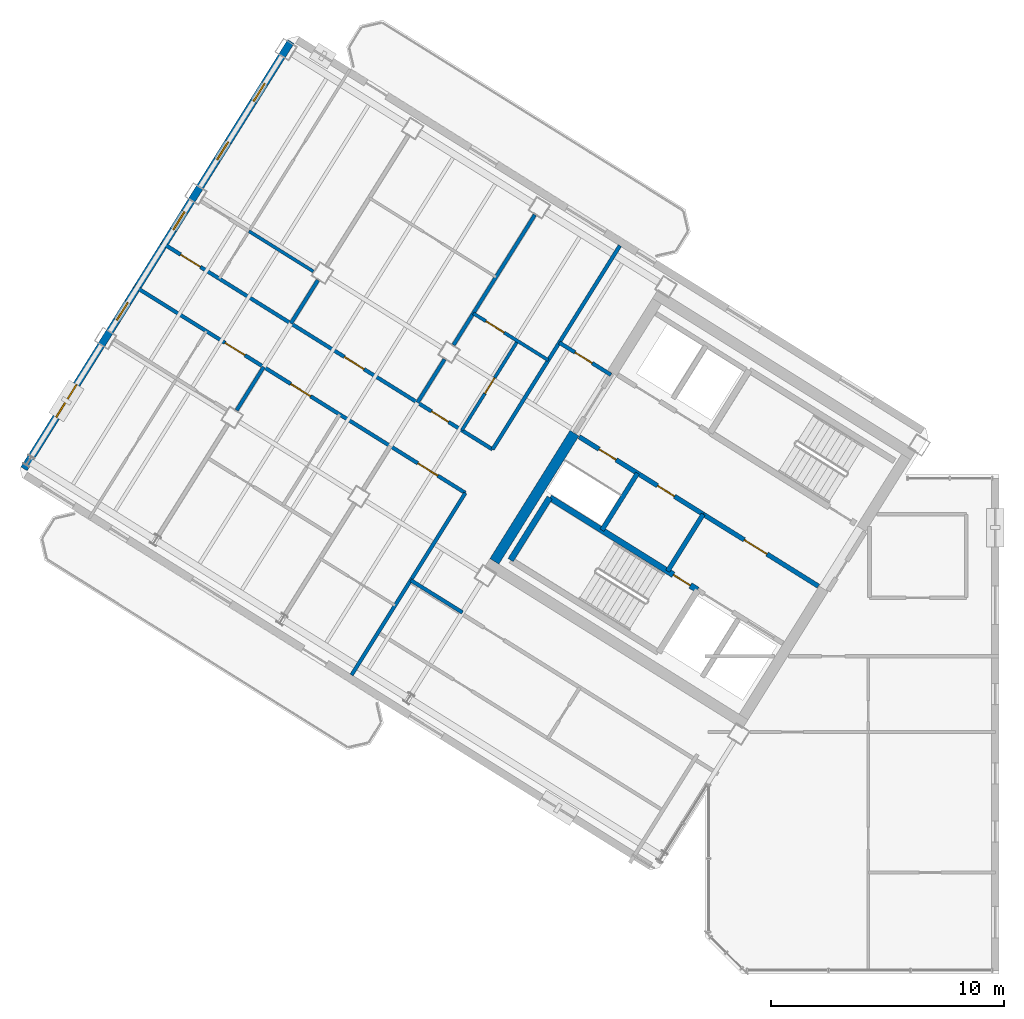
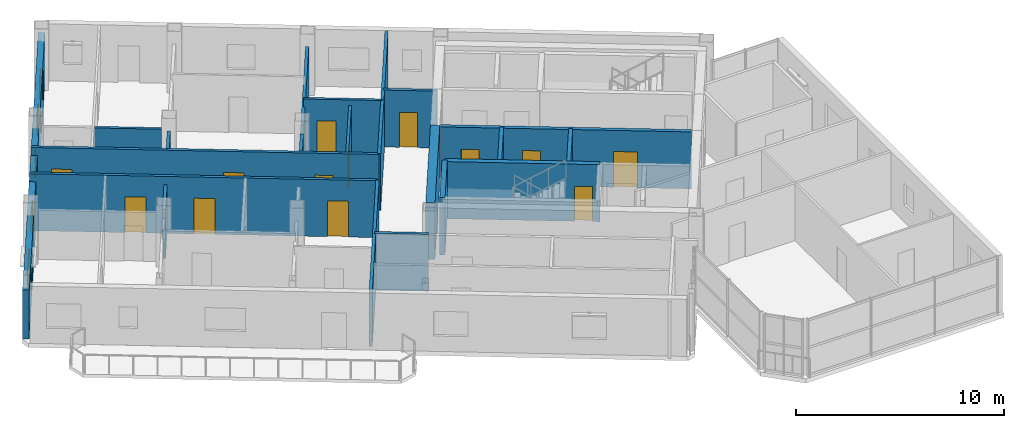
# One storey, part 9 of 15: 21 walls, 13 doors, 5 windows, 18 openings.
"""IFC4 building model written with IfcOpenShell, lengths in metres."""

from ifc_helpers import new_model, si_unit, direction, frame, frame_2d, origin, place, context, subcontext, project, spatial, rectangle, extrude, source, transform, mapped, material, layer, layer_set, type_object, element, fill, save


model = new_model("IFC4")

# Units and contexts
model_context = context("Model", 3, precision=1e-05, world=origin(), true_north=direction((0.0, 1.0)))
body_context = subcontext(model_context, "Body", "Model", "MODEL_VIEW")
ifc_project = project(units=[si_unit("LENGTHUNIT", "METRE"), si_unit("AREAUNIT", "SQUARE_METRE"), si_unit("VOLUMEUNIT", "CUBIC_METRE"), si_unit("PLANEANGLEUNIT", "RADIAN"), si_unit("MASSUNIT", "GRAM", prefix="KILO")], contexts=[model_context])

# Site, building, storey
site_placement = place(None, origin())
site = spatial("IfcSite", under=ifc_project, at=site_placement, CompositionType="ELEMENT")
building_placement = place(site_placement, origin())
building = spatial("IfcBuilding", under=site, at=building_placement, Name="Tlacorven Tower", CompositionType="ELEMENT")
storey_placement = place(building_placement, frame((0.0, 0.0, 266.39990234375)))
storey = spatial("IfcBuildingStorey", under=building, at=storey_placement, Name="L67", CompositionType="ELEMENT", Elevation=266.39990234375)

# Wall
ifc_material_1 = material(Name="Concrete C50/60", Category="concrete")
ifc_layer_1 = layer(ifc_material_1, 0.449951171875)
ifc_layer_set_1 = layer_set([ifc_layer_1], Name="Concrete C50/60")
wall_type_1 = type_object("IfcWallType", Name="WL-COR-450", PredefinedType="SHEAR", material=ifc_layer_set_1)
wall_1_placement = place(storey_placement, frame((26.006591796875, 24.975830078125, 0.0), z_axis=(0.0, 0.0, 1.0), x_axis=(-0.529931155655, -0.848040665456, 0.0)))
element("IfcWall", 1, at=wall_1_placement, inside=storey, type_object=wall_type_1, Name="L67 W core end wall E2.2", PredefinedType="SHEAR", context=body_context, shape_type="SweptSolid", body=[
    extrude(rectangle(XDim=6.47509765625, YDim=0.449951171875, at=frame_2d((3.237548828125, 0.0))), origin(), (0.0, 0.0, 1.0), 3.35009765625),
])

# Wall, opening, door
ifc_material_2 = material(Name="Gypsum plasterboard acoustic partition", Category="gypsum")
ifc_layer_2 = layer(ifc_material_2, 0.159912109375)
ifc_layer_set_2 = layer_set([ifc_layer_2], Name="Gypsum plasterboard acoustic partition")
wall_type_2 = type_object("IfcWallType", Name="WL-DEM-160", PredefinedType="PARTITIONING", material=ifc_layer_set_2)
wall_2_placement = place(storey_placement, frame((27.56982421875, 27.4775390625, 0.0), z_axis=(0.0, 0.0, 1.0), x_axis=(-0.848050851465, 0.529914854792, 0.0)))
wall_2 = element("IfcWall", 2, at=wall_2_placement, inside=storey, type_object=wall_type_2, Name="L67 partition 19", PredefinedType="PARTITIONING", context=body_context, shape_type="SweptSolid", body=[
    extrude(rectangle(XDim=2.60986328125, YDim=0.159912109375, at=frame_2d((1.304931640625, 0.0))), origin(), (0.0, 0.0, 1.0), 3.340087890625),
])
opening_1_placement = place(wall_2_placement, frame((0.949951171875, 0.0, 0.0)))
opening_1 = element("IfcOpeningElement", 3, at=opening_1_placement, cuts=wall_2, Name="Opening D19", PredefinedType="OPENING", context=body_context, shape_type="SweptSolid", body=[
    extrude(rectangle(XDim=0.860107421875, YDim=2.050048828125, at=frame_2d((0.43017578125, 1.02490234375))), frame((0.0, 0.08984375, 0.0), z_axis=(0.0, -1.0, 0.0), x_axis=(1.0, 0.0, 0.0)), (0.0, 0.0, 1.0), 0.179931640625),
])
ifc_material_3 = material(Name="Fire-rated steel door assembly", Category="steel")
door_type_1 = type_object("IfcDoorType", Name="DR-RSR-FD60-0860", OperationType="NOTDEFINED", PredefinedType="DOOR", material=ifc_material_3)
shared_shape_1 = source(origin(), body_context, "Body", "SweptSolid", [
    extrude(rectangle(XDim=0.860107421875, YDim=2.050048828125, at=frame_2d((0.43017578125, 1.02490234375))), frame((0.0, 0.02490234375, 0.0), z_axis=(0.0, -1.0, 0.0), x_axis=(1.0, 0.0, 0.0)), (0.0, 0.0, 1.0), 0.050048828125),
])
door_1_placement = place(opening_1_placement, frame((0.860107421875, 0.0, 0.0), z_axis=(0.0, 0.0, 1.0), x_axis=(-1.0, 0.0, 0.0)))
door_1 = element("IfcDoor", 4, at=door_1_placement, inside=storey, type_object=door_type_1, Name="L67 door 010", OperationType="SINGLE_SWING_RIGHT", OverallHeight=2.050048828125, OverallWidth=0.860107421875, PredefinedType="DOOR", context=body_context, shape_type="MappedRepresentation", body=[
    mapped(shared_shape_1, transform((0.0, 0.0, 0.0), scale=1.0)),
])
fill(opening_1, door_1)

# Walls
wall_3_placement = place(storey_placement, frame((21.20556640625, 17.29248046875, 0.0), z_axis=(0.0, 0.0, 1.0), x_axis=(-0.848050851465, 0.529914854792, 0.0)))
element("IfcWall", 5, at=wall_3_placement, inside=storey, type_object=wall_type_2, Name="L67 partition 20", PredefinedType="PARTITIONING", context=body_context, shape_type="SweptSolid", body=[
    extrude(rectangle(XDim=2.60986328125, YDim=0.159912109375, at=frame_2d((1.304931640625, 0.0))), origin(), (0.0, 0.0, 1.0), 3.340087890625),
])
wall_4_placement = place(storey_placement, frame((27.952880859375, 33.01611328125, 0.0), z_axis=(0.0, 0.0, 1.0), x_axis=(-0.529909450694, -0.848054228257, 0.0)))
element("IfcWall", 6, at=wall_4_placement, inside=storey, type_object=wall_type_2, Name="L67 partition 21", PredefinedType="PARTITIONING", context=body_context, shape_type="SweptSolid", body=[
    extrude(rectangle(XDim=10.2998046875, YDim=0.159912109375, at=frame_2d((5.14990234375, 0.0))), origin(), (0.0, 0.0, 1.0), 3.340087890625),
])
wall_5_placement = place(storey_placement, frame((21.3291015625, 22.41552734375, 0.0), z_axis=(0.0, 0.0, 1.0), x_axis=(-0.529920220799, -0.848047498427, 0.0)))
element("IfcWall", 7, at=wall_5_placement, inside=storey, type_object=wall_type_2, Name="L67 partition 22", PredefinedType="PARTITIONING", context=body_context, shape_type="SweptSolid", body=[
    extrude(rectangle(XDim=9.199951171875, YDim=0.159912109375, at=frame_2d((4.60009765625, 0.0))), origin(), (0.0, 0.0, 1.0), 3.340087890625),
])

# Wall, openings, doors
wall_6_placement = place(storey_placement, frame((22.494873046875, 24.28125, 0.0), z_axis=(0.0, 0.0, 1.0), x_axis=(-0.848052408131, 0.529912363569, 0.0)))
wall_6 = element("IfcWall", 8, at=wall_6_placement, inside=storey, type_object=wall_type_2, Name="L67 Wing W Corridor South Wall", PredefinedType="PARTITIONING", context=body_context, shape_type="SweptSolid", body=[
    extrude(rectangle(XDim=16.72998046875, YDim=0.159912109375, at=frame_2d((8.364990234375, 0.0))), origin(), (0.0, 0.0, 1.0), 3.340087890625),
])
opening_2_placement = place(wall_6_placement, frame((2.219970703125, 0.0, 0.0)))
opening_2 = element("IfcOpeningElement", 9, at=opening_2_placement, cuts=wall_6, Name="Opening D19", PredefinedType="OPENING", context=body_context, shape_type="SweptSolid", body=[
    extrude(rectangle(XDim=0.860107421875, YDim=2.050048828125, at=frame_2d((0.43017578125, 1.02490234375))), frame((0.0, 0.08984375, 0.0), z_axis=(0.0, -1.0, 0.0), x_axis=(1.0, 0.0, 0.0)), (0.0, 0.0, 1.0), 0.179931640625),
])
opening_3_placement = place(wall_6_placement, frame((6.489990234375, 0.0, 0.0)))
opening_3 = element("IfcOpeningElement", 10, at=opening_3_placement, cuts=wall_6, Name="Opening D11", PredefinedType="OPENING", context=body_context, shape_type="SweptSolid", body=[
    extrude(rectangle(XDim=1.0, YDim=2.10009765625, at=frame_2d((0.5, 1.050048828125))), frame((0.0, 0.08984375, 0.0), z_axis=(0.0, -1.0, 0.0), x_axis=(1.0, 0.0, 0.0)), (0.0, 0.0, 1.0), 0.179931640625),
])
opening_4_placement = place(wall_6_placement, frame((14.760009765625, 0.0, 0.0)))
opening_4 = element("IfcOpeningElement", 11, at=opening_4_placement, cuts=wall_6, Name="Opening D11", PredefinedType="OPENING", context=body_context, shape_type="SweptSolid", body=[
    extrude(rectangle(XDim=1.0, YDim=2.10009765625, at=frame_2d((0.5, 1.050048828125))), frame((0.0, 0.08984375, 0.0), z_axis=(0.0, -1.0, 0.0), x_axis=(1.0, 0.0, 0.0)), (0.0, 0.0, 1.0), 0.179931640625),
])
door_2_placement = place(opening_2_placement, origin())
door_2 = element("IfcDoor", 12, at=door_2_placement, inside=storey, type_object=door_type_1, Name="L67 door 022", OperationType="SINGLE_SWING_LEFT", OverallHeight=2.050048828125, OverallWidth=0.860107421875, PredefinedType="DOOR", context=body_context, shape_type="MappedRepresentation", body=[
    mapped(shared_shape_1, transform((0.0, 0.0, 0.0), scale=1.0)),
])
fill(opening_2, door_2)
door_type_2 = type_object("IfcDoorType", Name="DR-FLT-FD60-1000", OperationType="NOTDEFINED", PredefinedType="DOOR", material=ifc_material_3)
shared_shape_2 = source(origin(), body_context, "Body", "SweptSolid", [
    extrude(rectangle(XDim=1.0, YDim=2.10009765625, at=frame_2d((0.5, 1.050048828125))), frame((0.0, 0.02490234375, 0.0), z_axis=(0.0, -1.0, 0.0), x_axis=(1.0, 0.0, 0.0)), (0.0, 0.0, 1.0), 0.050048828125),
])
door_3_placement = place(opening_3_placement, origin())
door_3 = element("IfcDoor", 13, at=door_3_placement, inside=storey, type_object=door_type_2, Name="L67 door 025", OperationType="SINGLE_SWING_RIGHT", OverallHeight=2.10009765625, OverallWidth=1.0, PredefinedType="DOOR", context=body_context, shape_type="MappedRepresentation", body=[
    mapped(shared_shape_2, transform((0.0, 0.0, 0.0), scale=1.0)),
])
fill(opening_3, door_3)
door_4_placement = place(opening_4_placement, origin())
door_4 = element("IfcDoor", 14, at=door_4_placement, inside=storey, type_object=door_type_2, Name="L67 door 028", OperationType="SINGLE_SWING_LEFT", OverallHeight=2.10009765625, OverallWidth=1.0, PredefinedType="DOOR", context=body_context, shape_type="MappedRepresentation", body=[
    mapped(shared_shape_2, transform((0.0, 0.0, 0.0), scale=1.0)),
])
fill(opening_4, door_4)

wall_7_placement = place(storey_placement, frame((21.3291015625, 22.41552734375, 0.0), z_axis=(0.0, 0.0, 1.0), x_axis=(-0.848052408131, 0.529912363569, 0.0)))
wall_7 = element("IfcWall", 15, at=wall_7_placement, inside=storey, type_object=wall_type_2, Name="L67 Wing W Corridor North Wall", PredefinedType="PARTITIONING", context=body_context, shape_type="SweptSolid", body=[
    extrude(rectangle(XDim=16.72998046875, YDim=0.159912109375, at=frame_2d((8.364990234375, 0.0))), origin(), (0.0, 0.0, 1.0), 3.340087890625),
])
opening_5_placement = place(wall_7_placement, frame((1.39501953125, 0.0, 0.0)))
opening_5 = element("IfcOpeningElement", 16, at=opening_5_placement, cuts=wall_7, Name="Opening D11", PredefinedType="OPENING", context=body_context, shape_type="SweptSolid", body=[
    extrude(rectangle(XDim=1.0, YDim=2.10009765625, at=frame_2d((0.5, 1.050048828125))), frame((0.0, 0.08984375, 0.0), z_axis=(0.0, -1.0, 0.0), x_axis=(1.0, 0.0, 0.0)), (0.0, 0.0, 1.0), 0.179931640625),
])
opening_6_placement = place(wall_7_placement, frame((7.820068359375, 0.0, 0.0)))
opening_6 = element("IfcOpeningElement", 17, at=opening_6_placement, cuts=wall_7, Name="Opening D11", PredefinedType="OPENING", context=body_context, shape_type="SweptSolid", body=[
    extrude(rectangle(XDim=1.0, YDim=2.10009765625, at=frame_2d((0.5, 1.050048828125))), frame((0.0, 0.08984375, 0.0), z_axis=(0.0, -1.0, 0.0), x_axis=(1.0, 0.0, 0.0)), (0.0, 0.0, 1.0), 0.179931640625),
])
opening_7_placement = place(wall_7_placement, frame((11.139892578125, 0.0, 0.0)))
opening_7 = element("IfcOpeningElement", 18, at=opening_7_placement, cuts=wall_7, Name="Opening D11", PredefinedType="OPENING", context=body_context, shape_type="SweptSolid", body=[
    extrude(rectangle(XDim=1.0, YDim=2.10009765625, at=frame_2d((0.5, 1.050048828125))), frame((0.0, 0.08984375, 0.0), z_axis=(0.0, -1.0, 0.0), x_axis=(1.0, 0.0, 0.0)), (0.0, 0.0, 1.0), 0.179931640625),
])
door_5_placement = place(opening_5_placement, origin())
door_5 = element("IfcDoor", 19, at=door_5_placement, inside=storey, type_object=door_type_2, Name="L67 door 012", OperationType="SINGLE_SWING_LEFT", OverallHeight=2.10009765625, OverallWidth=1.0, PredefinedType="DOOR", context=body_context, shape_type="MappedRepresentation", body=[
    mapped(shared_shape_2, transform((0.0, 0.0, 0.0), scale=1.0)),
])
fill(opening_5, door_5)
door_6_placement = place(opening_6_placement, origin())
door_6 = element("IfcDoor", 20, at=door_6_placement, inside=storey, type_object=door_type_2, Name="L67 door 014", OperationType="SINGLE_SWING_LEFT", OverallHeight=2.10009765625, OverallWidth=1.0, PredefinedType="DOOR", context=body_context, shape_type="MappedRepresentation", body=[
    mapped(shared_shape_2, transform((0.0, 0.0, 0.0), scale=1.0)),
])
fill(opening_6, door_6)
door_7_placement = place(opening_7_placement, origin())
door_7 = element("IfcDoor", 21, at=door_7_placement, inside=storey, type_object=door_type_2, Name="L67 door 018", OperationType="SINGLE_SWING_LEFT", OverallHeight=2.10009765625, OverallWidth=1.0, PredefinedType="DOOR", context=body_context, shape_type="MappedRepresentation", body=[
    mapped(shared_shape_2, transform((0.0, 0.0, 0.0), scale=1.0)),
])
fill(opening_7, door_7)

# Walls
wall_8_placement = place(storey_placement, frame((12.6875, 27.8154296875, 0.0), z_axis=(0.0, 0.0, 1.0), x_axis=(-0.52994879608, -0.848029641896, 0.0)))
element("IfcWall", 22, at=wall_8_placement, inside=storey, type_object=wall_type_2, Name="L67 WN Demising Wall 2", PredefinedType="PARTITIONING", context=body_context, shape_type="SweptSolid", body=[
    extrude(rectangle(XDim=2.188232421875, YDim=0.159912109375, at=frame_2d((1.09423828125, 0.0))), origin(), (0.0, 0.0, 1.0), 2.875),
])
wall_9_placement = place(storey_placement, frame((24.30859375, 34.3359375, 0.0), z_axis=(0.0, 0.0, 1.0), x_axis=(-0.529895484599, -0.848062954858, 0.0)))
element("IfcWall", 23, at=wall_9_placement, inside=storey, type_object=wall_type_2, Name="L67 WS Demising Wall 1", PredefinedType="PARTITIONING", context=body_context, shape_type="SweptSolid", body=[
    extrude(rectangle(XDim=6.576171875, YDim=0.159912109375, at=frame_2d((3.2880859375, 0.0))), origin(), (0.0, 0.0, 1.0), 2.875),
])
for number, where, z_axis, x_axis, name in (
    (24, (20.440185546875, 28.14501953125, 0.0), (0.0, 0.0, 1.0), (-0.5299186965, -0.848048450915, 0.0), "L67 WS Demising Wall 1"),
    (25, (15.0126953125, 31.53662109375, 0.0), (0.0, 0.0, 1.0), (-0.5299186965, -0.848048450915, 0.0), "L67 WS Demising Wall 2"),
):
    element("IfcWall", number, at=place(storey_placement, frame(where, z_axis=z_axis, x_axis=x_axis)), inside=storey, type_object=wall_type_2, Name=name, PredefinedType="PARTITIONING", context=body_context, shape_type="SweptSolid", body=[
        extrude(rectangle(XDim=2.18798828125, YDim=0.159912109375, at=frame_2d((1.093994140625, 0.0))), origin(), (0.0, 0.0, 1.0), 2.875),
    ])

# Wall, openings, windows
ifc_material_4 = material(Name="Precast concrete C45/55", Category="concrete")
ifc_layer_3 = layer(ifc_material_4, 0.320068359375)
ifc_layer_set_3 = layer_set([ifc_layer_3], Name="Precast concrete C45/55")
wall_type_3 = type_object("IfcWallType", Name="WL-EXT-320", PredefinedType="STANDARD", material=ifc_layer_set_3)
wall_10_placement = place(storey_placement, frame((2.41455078125, 23.452392578125, 0.0), z_axis=(0.0, 0.0, 1.0), x_axis=(0.52991049553, 0.848053575387, 0.0)))
wall_10 = element("IfcWall", 26, at=wall_10_placement, inside=storey, type_object=wall_type_3, Name="L67 Masonry-Frame Recessed Facade Wall 3", PredefinedType="STANDARD", context=body_context, shape_type="SweptSolid", body=[
    extrude(rectangle(XDim=21.58740234375, YDim=0.320068359375, at=frame_2d((10.793701171875, 0.0))), origin(), (0.0, 0.0, 1.0), 2.875),
])
opening_8_placement = place(wall_10_placement, frame((2.606201171875, 0.0, 0.89990234375)))
opening_8 = element("IfcOpeningElement", 27, at=opening_8_placement, cuts=wall_10, Name="Opening WN07", PredefinedType="OPENING", context=body_context, shape_type="SweptSolid", body=[
    extrude(rectangle(XDim=1.64990234375, YDim=1.449951171875, at=frame_2d((0.824951171875, 0.72509765625))), frame((0.0, 0.169921875, 0.0), z_axis=(0.0, -1.0, 0.0), x_axis=(1.0, 0.0, 0.0)), (0.0, 0.0, 1.0), 0.340087890625),
])
opening_9_placement = place(wall_10_placement, frame((7.503662109375, 0.0, 1.0)))
opening_9 = element("IfcOpeningElement", 28, at=opening_9_placement, cuts=wall_10, Name="Opening WN05", PredefinedType="OPENING", context=body_context, shape_type="SweptSolid", body=[
    extrude(rectangle(XDim=0.89990234375, YDim=1.25, at=frame_2d((0.449951171875, 0.625))), frame((0.0, 0.169921875, 0.0), z_axis=(0.0, -1.0, 0.0), x_axis=(1.0, 0.0, 0.0)), (0.0, 0.0, 1.0), 0.340087890625),
])
opening_10_placement = place(wall_10_placement, frame((12.083740234375, 0.0, 1.0)))
opening_10 = element("IfcOpeningElement", 29, at=opening_10_placement, cuts=wall_10, Name="Opening WN05", PredefinedType="OPENING", context=body_context, shape_type="SweptSolid", body=[
    extrude(rectangle(XDim=0.89990234375, YDim=1.25, at=frame_2d((0.449951171875, 0.625))), frame((0.0, 0.169921875, 0.0), z_axis=(0.0, -1.0, 0.0), x_axis=(1.0, 0.0, 0.0)), (0.0, 0.0, 1.0), 0.340087890625),
])
opening_11_placement = place(wall_10_placement, frame((15.61865234375, 0.0, 1.0)))
opening_11 = element("IfcOpeningElement", 30, at=opening_11_placement, cuts=wall_10, Name="Opening WN05", PredefinedType="OPENING", context=body_context, shape_type="SweptSolid", body=[
    extrude(rectangle(XDim=0.89990234375, YDim=1.25, at=frame_2d((0.449951171875, 0.625))), frame((0.0, 0.169921875, 0.0), z_axis=(0.0, -1.0, 0.0), x_axis=(1.0, 0.0, 0.0)), (0.0, 0.0, 1.0), 0.340087890625),
])
opening_12_placement = place(wall_10_placement, frame((18.568603515625, 0.0, 1.0)))
opening_12 = element("IfcOpeningElement", 31, at=opening_12_placement, cuts=wall_10, Name="Opening WN05", PredefinedType="OPENING", context=body_context, shape_type="SweptSolid", body=[
    extrude(rectangle(XDim=0.89990234375, YDim=1.25, at=frame_2d((0.449951171875, 0.625))), frame((0.0, 0.169921875, 0.0), z_axis=(0.0, -1.0, 0.0), x_axis=(1.0, 0.0, 0.0)), (0.0, 0.0, 1.0), 0.340087890625),
])
ifc_material_5 = material(Name="Dark solar low-E double glazing in anodised aluminium frame", Category="aluminium")
window_type_1 = type_object("IfcWindowType", Name="WN-APT-0900X1350", PartitioningType="SINGLE_PANEL", PredefinedType="WINDOW", material=ifc_material_5)
shared_shape_3 = source(origin(), body_context, "Body", "SweptSolid", [
    extrude(rectangle(XDim=0.89990234375, YDim=1.25, at=frame_2d((0.449951171875, 0.625))), frame((0.0, 0.030029296875, 0.0), z_axis=(0.0, -1.0, 0.0), x_axis=(1.0, 0.0, 0.0)), (0.0, 0.0, 1.0), 0.06005859375),
])
window_1_placement = place(opening_9_placement, origin())
window_1 = element("IfcWindow", 32, at=window_1_placement, inside=storey, type_object=window_type_1, Name="L67 Recessed Masonry-Frame Window L67-03.2", OverallHeight=1.25, OverallWidth=0.89990234375, PartitioningType="SINGLE_PANEL", PredefinedType="WINDOW", context=body_context, shape_type="MappedRepresentation", body=[
    mapped(shared_shape_3, transform((0.0, 0.0, 0.0), scale=1.0)),
])
fill(opening_9, window_1)
window_2_placement = place(opening_10_placement, origin())
window_2 = element("IfcWindow", 33, at=window_2_placement, inside=storey, type_object=window_type_1, Name="L67 Recessed Masonry-Frame Window L67-03.3", OverallHeight=1.25, OverallWidth=0.89990234375, PartitioningType="SINGLE_PANEL", PredefinedType="WINDOW", context=body_context, shape_type="MappedRepresentation", body=[
    mapped(shared_shape_3, transform((0.0, 0.0, 0.0), scale=1.0)),
])
fill(opening_10, window_2)
window_3_placement = place(opening_11_placement, origin())
window_3 = element("IfcWindow", 34, at=window_3_placement, inside=storey, type_object=window_type_1, Name="L67 Recessed Masonry-Frame Window L67-03.4", OverallHeight=1.25, OverallWidth=0.89990234375, PartitioningType="SINGLE_PANEL", PredefinedType="WINDOW", context=body_context, shape_type="MappedRepresentation", body=[
    mapped(shared_shape_3, transform((0.0, 0.0, 0.0), scale=1.0)),
])
fill(opening_11, window_3)
window_4_placement = place(opening_12_placement, origin())
window_4 = element("IfcWindow", 35, at=window_4_placement, inside=storey, type_object=window_type_1, Name="L67 Recessed Masonry-Frame Window L67-03.5", OverallHeight=1.25, OverallWidth=0.89990234375, PartitioningType="SINGLE_PANEL", PredefinedType="WINDOW", context=body_context, shape_type="MappedRepresentation", body=[
    mapped(shared_shape_3, transform((0.0, 0.0, 0.0), scale=1.0)),
])
fill(opening_12, window_4)
window_type_2 = type_object("IfcWindowType", Name="WN-APT-1650X1600", PartitioningType="SINGLE_PANEL", PredefinedType="WINDOW", material=ifc_material_5)
shared_shape_4 = source(origin(), body_context, "Body", "SweptSolid", [
    extrude(rectangle(XDim=1.64990234375, YDim=1.449951171875, at=frame_2d((0.824951171875, 0.72509765625))), frame((0.0, 0.030029296875, 0.0), z_axis=(0.0, -1.0, 0.0), x_axis=(1.0, 0.0, 0.0)), (0.0, 0.0, 1.0), 0.06005859375),
])
window_5_placement = place(opening_8_placement, origin())
window_5 = element("IfcWindow", 36, at=window_5_placement, inside=storey, type_object=window_type_2, Name="L67 Recessed Masonry-Frame Window L67-03.1", OverallHeight=1.449951171875, OverallWidth=1.64990234375, PartitioningType="SINGLE_PANEL", PredefinedType="WINDOW", context=body_context, shape_type="MappedRepresentation", body=[
    mapped(shared_shape_4, transform((0.0, 0.0, 0.0), scale=1.0)),
])
fill(opening_8, window_5)

# Wall, opening, door
ifc_material_6 = material(Name="Moisture-resistant gypsum plumbing wall", Category="gypsum")
ifc_layer_4 = layer(ifc_material_6, 0.139892578125)
ifc_layer_set_4 = layer_set([ifc_layer_4], Name="Moisture-resistant gypsum plumbing wall")
wall_type_4 = type_object("IfcWallType", Name="WL-PLM-140", PredefinedType="PLUMBINGWALL", material=ifc_layer_set_4)
wall_11_placement = place(storey_placement, frame((24.884765625, 28.10595703125, 0.0), z_axis=(0.0, 0.0, 1.0), x_axis=(-0.848059820872, 0.529900500304, 0.0)))
wall_11 = element("IfcWall", 37, at=wall_11_placement, inside=storey, type_object=wall_type_4, Name="L67 partition 36", PredefinedType="PLUMBINGWALL", context=body_context, shape_type="SweptSolid", body=[
    extrude(rectangle(XDim=3.7900390625, YDim=0.139892578125, at=frame_2d((1.89501953125, 0.0))), origin(), (0.0, 0.0, 1.0), 3.340087890625),
])
opening_13_placement = place(wall_11_placement, frame((2.22998046875, 0.0, 0.0)))
opening_13 = element("IfcOpeningElement", 38, at=opening_13_placement, cuts=wall_11, Name="Opening D12", PredefinedType="OPENING", context=body_context, shape_type="SweptSolid", body=[
    extrude(rectangle(XDim=0.919921875, YDim=2.080078125, at=frame_2d((0.4599609375, 1.0400390625))), frame((0.0, 0.080078125, 0.0), z_axis=(0.0, -1.0, 0.0), x_axis=(1.0, 0.0, 0.0)), (0.0, 0.0, 1.0), 0.159912109375),
])
ifc_material_7 = material(Name="Powder-coated aluminium and timber door", Category="wood")
door_type_3 = type_object("IfcDoorType", Name="DR-INT-ROOM-0920", OperationType="NOTDEFINED", PredefinedType="DOOR", material=ifc_material_7)
shared_shape_5 = source(origin(), body_context, "Body", "SweptSolid", [
    extrude(rectangle(XDim=0.919921875, YDim=2.080078125, at=frame_2d((0.4599609375, 1.0400390625))), frame((0.0, 0.02490234375, 0.0), z_axis=(0.0, -1.0, 0.0), x_axis=(1.0, 0.0, 0.0)), (0.0, 0.0, 1.0), 0.050048828125),
])
door_8_placement = place(opening_13_placement, origin())
door_8 = element("IfcDoor", 39, at=door_8_placement, inside=storey, type_object=door_type_3, Name="L67 door 023", OperationType="SINGLE_SWING_RIGHT", OverallHeight=2.080078125, OverallWidth=0.919921875, PredefinedType="DOOR", context=body_context, shape_type="MappedRepresentation", body=[
    mapped(shared_shape_5, transform((0.0, 0.0, 0.0), scale=1.0)),
])
fill(opening_13, door_8)

wall_12_placement = place(storey_placement, frame((23.5703125, 28.92724609375, 0.0), z_axis=(0.0, 0.0, 1.0), x_axis=(-0.529911350634, -0.84805304107, 0.0)))
wall_12 = element("IfcWall", 40, at=wall_12_placement, inside=storey, type_object=wall_type_4, Name="L67 partition 37", PredefinedType="PLUMBINGWALL", context=body_context, shape_type="SweptSolid", body=[
    extrude(rectangle(XDim=4.510009765625, YDim=0.139892578125, at=frame_2d((2.2548828125, 0.0))), origin(), (0.0, 0.0, 1.0), 3.025146484375),
])
opening_14_placement = place(wall_12_placement, frame((1.864990234375, 0.0, 0.0)))
opening_14 = element("IfcOpeningElement", 41, at=opening_14_placement, cuts=wall_12, Name="Opening D22", PredefinedType="OPENING", context=body_context, shape_type="SweptSolid", body=[
    extrude(rectangle(XDim=0.780029296875, YDim=2.050048828125, at=frame_2d((0.39013671875, 1.02490234375))), frame((0.0, 0.080078125, 0.0), z_axis=(0.0, -1.0, 0.0), x_axis=(1.0, 0.0, 0.0)), (0.0, 0.0, 1.0), 0.159912109375),
])
door_type_4 = type_object("IfcDoorType", Name="DR-INT-WET-0780", OperationType="NOTDEFINED", PredefinedType="DOOR", material=ifc_material_7)
shared_shape_6 = source(origin(), body_context, "Body", "SweptSolid", [
    extrude(rectangle(XDim=0.780029296875, YDim=2.050048828125, at=frame_2d((0.39013671875, 1.02490234375))), frame((0.0, 0.02490234375, 0.0), z_axis=(0.0, -1.0, 0.0), x_axis=(1.0, 0.0, 0.0)), (0.0, 0.0, 1.0), 0.050048828125),
])
door_9_placement = place(opening_14_placement, origin())
door_9 = element("IfcDoor", 42, at=door_9_placement, inside=storey, type_object=door_type_4, Name="L67 door 024", OperationType="SINGLE_SWING_LEFT", OverallHeight=2.050048828125, OverallWidth=0.780029296875, PredefinedType="DOOR", context=body_context, shape_type="MappedRepresentation", body=[
    mapped(shared_shape_6, transform((0.0, 0.0, 0.0), scale=1.0)),
])
fill(opening_14, door_9)

# Wall
wall_13_placement = place(storey_placement, frame((14.818115234375, 31.908203125, 0.0), z_axis=(0.0, 0.0, 1.0), x_axis=(-0.848036190178, 0.529938317305, 0.0)))
element("IfcWall", 43, at=wall_13_placement, inside=storey, type_object=wall_type_4, Name="L67 partition 43", PredefinedType="PLUMBINGWALL", context=body_context, shape_type="SweptSolid", body=[
    extrude(rectangle(XDim=3.258056640625, YDim=0.139892578125, at=frame_2d((1.62890625, 0.0))), origin(), (0.0, 0.0, 1.0), 2.875),
])

# Wall, opening, door
ifc_material_8 = material(Name="Concrete C40/50", Category="concrete")
ifc_layer_5 = layer(ifc_material_8, 0.199951171875)
ifc_layer_set_5 = layer_set([ifc_layer_5], Name="Concrete C40/50")
wall_type_5 = type_object("IfcWallType", Name="WL-SHF-200", PredefinedType="STANDARD", material=ifc_layer_set_5)
wall_14_placement = place(storey_placement, frame((36.459228515625, 18.420654296875, 0.0), z_axis=(0.0, 0.0, 1.0), x_axis=(-0.848059591691, 0.529900867089, 0.0)))
wall_14 = element("IfcWall", 44, at=wall_14_placement, inside=storey, type_object=wall_type_5, Name="L67 Core W Smoke Lobby Wall", PredefinedType="STANDARD", context=body_context, shape_type="SweptSolid", body=[
    extrude(rectangle(XDim=5.818115234375, YDim=0.199951171875, at=frame_2d((2.9091796875, 0.0))), origin(), (0.0, 0.0, 1.0), 3.340087890625),
])
opening_15_placement = place(wall_14_placement, frame((2.597900390625, 0.0, 0.0)))
opening_15 = element("IfcOpeningElement", 45, at=opening_15_placement, cuts=wall_14, Name="Opening D09", PredefinedType="OPENING", context=body_context, shape_type="SweptSolid", body=[
    extrude(rectangle(XDim=1.14990234375, YDim=2.10009765625, at=frame_2d((0.574951171875, 1.050048828125))), frame((0.0, 0.10986328125, 0.0), z_axis=(0.0, -1.0, 0.0), x_axis=(1.0, 0.0, 0.0)), (0.0, 0.0, 1.0), 0.219970703125),
])
door_type_5 = type_object("IfcDoorType", Name="DR-FFL-FD60-1150", OperationType="NOTDEFINED", PredefinedType="DOOR", material=ifc_material_3)
shared_shape_7 = source(origin(), body_context, "Body", "SweptSolid", [
    extrude(rectangle(XDim=1.14990234375, YDim=2.10009765625, at=frame_2d((0.574951171875, 1.050048828125))), frame((0.0, 0.02490234375, 0.0), z_axis=(0.0, -1.0, 0.0), x_axis=(1.0, 0.0, 0.0)), (0.0, 0.0, 1.0), 0.050048828125),
])
door_10_placement = place(opening_15_placement, origin())
door_10 = element("IfcDoor", 46, at=door_10_placement, inside=storey, type_object=door_type_5, Name="L67 Firefighting Lobby W Fire Door", OperationType="SINGLE_SWING_LEFT", OverallHeight=2.10009765625, OverallWidth=1.14990234375, PredefinedType="DOOR", context=body_context, shape_type="MappedRepresentation", body=[
    mapped(shared_shape_7, transform((0.0, 0.0, 0.0), scale=1.0)),
])
fill(opening_15, door_10)

# Walls
for number, where, z_axis, x_axis, name in (
    (47, (31.525146484375, 21.503662109375, 0.0), (0.0, 0.0, 1.0), (-0.529907497854, -0.848055448493, 0.0), "L67 partition 15"),
    (48, (28.709716796875, 23.26318359375, 0.0), (0.0, 0.0, 1.0), (-0.529907497854, -0.848055448493, 0.0), "L67 partition 16"),
):
    element("IfcWall", number, at=place(storey_placement, frame(where, z_axis=z_axis, x_axis=x_axis)), inside=storey, type_object=wall_type_5, Name=name, PredefinedType="STANDARD", context=body_context, shape_type="SweptSolid", body=[
        extrude(rectangle(XDim=2.8798828125, YDim=0.199951171875, at=frame_2d((1.43994140625, 0.0))), origin(), (0.0, 0.0, 1.0), 3.340087890625),
    ])

# Wall, openings, doors
wall_15_placement = place(storey_placement, frame((31.525146484375, 21.503662109375, 0.0), z_axis=(0.0, 0.0, 1.0), x_axis=(-0.848042066329, 0.529928913853, 0.0)))
wall_15 = element("IfcWall", 49, at=wall_15_placement, inside=storey, type_object=wall_type_5, Name="L67 Core W North Service Wall", PredefinedType="STANDARD", context=body_context, shape_type="SweptSolid", body=[
    extrude(rectangle(XDim=6.267822265625, YDim=0.199951171875, at=frame_2d((3.1337890625, 0.0))), origin(), (0.0, 0.0, 1.0), 3.340087890625),
])
opening_16_placement = place(wall_15_placement, frame((4.39990234375, 0.0, 0.0)))
opening_16 = element("IfcOpeningElement", 50, at=opening_16_placement, cuts=wall_15, Name="Opening D19", PredefinedType="OPENING", context=body_context, shape_type="SweptSolid", body=[
    extrude(rectangle(XDim=0.860107421875, YDim=2.050048828125, at=frame_2d((0.43017578125, 1.02490234375))), frame((0.0, 0.10986328125, 0.0), z_axis=(0.0, -1.0, 0.0), x_axis=(1.0, 0.0, 0.0)), (0.0, 0.0, 1.0), 0.219970703125),
])
opening_17_placement = place(wall_15_placement, frame((1.449951171875, 0.0, 0.0)))
opening_17 = element("IfcOpeningElement", 51, at=opening_17_placement, cuts=wall_15, Name="Opening D19", PredefinedType="OPENING", context=body_context, shape_type="SweptSolid", body=[
    extrude(rectangle(XDim=0.860107421875, YDim=2.050048828125, at=frame_2d((0.43017578125, 1.02490234375))), frame((0.0, 0.10986328125, 0.0), z_axis=(0.0, -1.0, 0.0), x_axis=(1.0, 0.0, 0.0)), (0.0, 0.0, 1.0), 0.219970703125),
])
door_11_placement = place(opening_16_placement, frame((0.860107421875, 0.0, 0.0), z_axis=(0.0, 0.0, 1.0), x_axis=(-1.0, 0.0, 0.0)))
door_11 = element("IfcDoor", 52, at=door_11_placement, inside=storey, type_object=door_type_1, Name="L67 Electrical Riser Access Door W", OperationType="SINGLE_SWING_RIGHT", OverallHeight=2.050048828125, OverallWidth=0.860107421875, PredefinedType="DOOR", context=body_context, shape_type="MappedRepresentation", body=[
    mapped(shared_shape_1, transform((0.0, 0.0, 0.0), scale=1.0)),
])
fill(opening_16, door_11)
door_12_placement = place(opening_17_placement, frame((0.860107421875, 0.0, 0.0), z_axis=(0.0, 0.0, 1.0), x_axis=(-1.0, 0.0, 0.0)))
door_12 = element("IfcDoor", 53, at=door_12_placement, inside=storey, type_object=door_type_1, Name="L67 Housekeeping Linen Access Door W", OperationType="SINGLE_SWING_LEFT", OverallHeight=2.050048828125, OverallWidth=0.860107421875, PredefinedType="DOOR", context=body_context, shape_type="MappedRepresentation", body=[
    mapped(shared_shape_1, transform((0.0, 0.0, 0.0), scale=1.0)),
])
fill(opening_17, door_12)

# Wall, opening, door
ifc_layer_6 = layer(ifc_material_1, 0.260009765625)
ifc_layer_set_6 = layer_set([ifc_layer_6], Name="Concrete C50/60")
wall_type_6 = type_object("IfcWallType", Name="WL-STW-260", PredefinedType="SHEAR", material=ifc_layer_set_6)
wall_16_placement = place(storey_placement, frame((31.279541015625, 18.26123046875, 0.0), z_axis=(0.0, 0.0, 1.0), x_axis=(-0.848051618787, 0.529913626805, 0.0)))
wall_16 = element("IfcWall", 54, at=wall_16_placement, inside=storey, type_object=wall_type_6, Name="L67 Stair W1 Lobby Shear Wall", PredefinedType="SHEAR", context=body_context, shape_type="SweptSolid", body=[
    extrude(rectangle(XDim=7.4599609375, YDim=0.260009765625, at=frame_2d((3.72998046875, 0.0))), origin(), (0.0, 0.0, 1.0), 3.35009765625),
])
opening_18_placement = place(wall_16_placement, frame((0.360107421875, 0.0, 0.0)))
opening_18 = element("IfcOpeningElement", 55, at=opening_18_placement, cuts=wall_16, Name="Opening D19", PredefinedType="OPENING", context=body_context, shape_type="SweptSolid", body=[
    extrude(rectangle(XDim=0.860107421875, YDim=2.050048828125, at=frame_2d((0.43017578125, 1.02490234375))), frame((0.0, 0.14013671875, 0.0), z_axis=(0.0, -1.0, 0.0), x_axis=(1.0, 0.0, 0.0)), (0.0, 0.0, 1.0), 0.280029296875),
])
door_13_placement = place(opening_18_placement, frame((0.860107421875, 0.0, 0.0), z_axis=(0.0, 0.0, 1.0), x_axis=(-1.0, 0.0, 0.0)))
door_13 = element("IfcDoor", 56, at=door_13_placement, inside=storey, type_object=door_type_1, Name="L67 Exit Stair W1 Fire Door", OperationType="SINGLE_SWING_LEFT", OverallHeight=2.050048828125, OverallWidth=0.860107421875, PredefinedType="DOOR", context=body_context, shape_type="MappedRepresentation", body=[
    mapped(shared_shape_1, transform((0.0, 0.0, 0.0), scale=1.0)),
])
fill(opening_18, door_13)

# Wall
wall_17_placement = place(storey_placement, frame((24.944580078125, 22.2197265625, 0.0), z_axis=(0.0, 0.0, 1.0), x_axis=(-0.529908658664, -0.84805472316, 0.0)))
element("IfcWall", 57, at=wall_17_placement, inside=storey, type_object=wall_type_6, Name="L67 Stair W1 East Shear Wall", PredefinedType="SHEAR", context=body_context, shape_type="SweptSolid", body=[
    extrude(rectangle(XDim=3.16015625, YDim=0.260009765625, at=frame_2d((1.580078125, 0.0))), origin(), (0.0, 0.0, 1.0), 3.35009765625),
])

save(model, "model.ifc")
